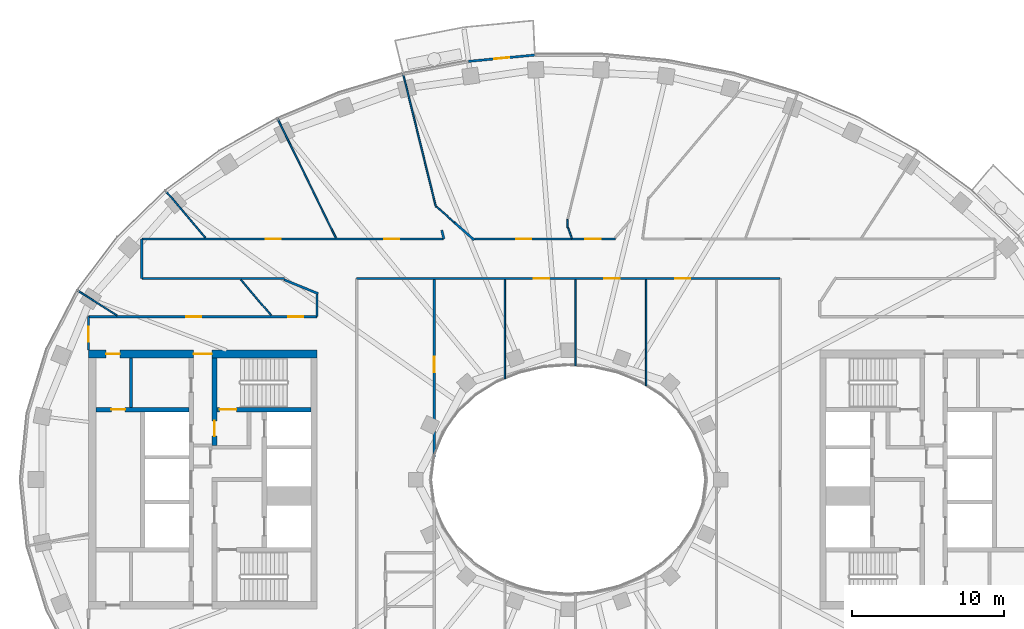
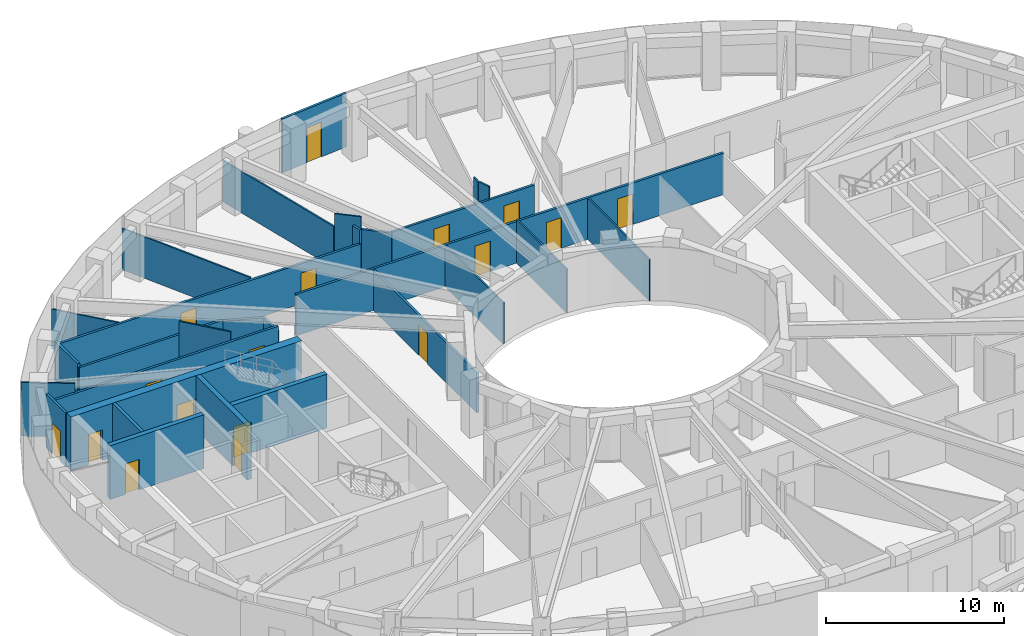
# One storey, part 6 of 17: 29 walls, 17 doors, 17 openings.
"""IFC4 building model written with IfcOpenShell, lengths in metres."""

from ifc_helpers import new_model, si_unit, direction, frame, frame_2d, origin, place, context, subcontext, project, spatial, rectangle, extrude, material, layer, layer_set, type_object, element, fill, save


model = new_model("IFC4")

# Units and contexts
model_context = context("Model", 3, precision=1e-05, world=origin(), true_north=direction((0.0, 1.0)))
body_context = subcontext(model_context, "Body", "Model", "MODEL_VIEW")
ifc_project = project(units=[si_unit("LENGTHUNIT", "METRE"), si_unit("AREAUNIT", "SQUARE_METRE"), si_unit("VOLUMEUNIT", "CUBIC_METRE"), si_unit("PLANEANGLEUNIT", "RADIAN"), si_unit("MASSUNIT", "GRAM", prefix="KILO")], contexts=[model_context])

# Site, building, storey
site_placement = place(None, origin())
site = spatial("IfcSite", under=ifc_project, at=site_placement, CompositionType="ELEMENT")
building_placement = place(site_placement, origin())
building = spatial("IfcBuilding", under=site, at=building_placement, Name="Noorbagh Ring Tower", CompositionType="ELEMENT")
storey_placement = place(building_placement, frame((0.0, 0.0, 269.5)))
storey = spatial("IfcBuildingStorey", under=building, at=storey_placement, Name="L57", CompositionType="ELEMENT", Elevation=269.5)

# Wall
ifc_material_1 = material(Name="Gypsum board on steel studs", Category="steel")
ifc_layer_1 = layer(ifc_material_1, 0.199951171875)
ifc_layer_set_1 = layer_set([ifc_layer_1], Name="Gypsum board on steel studs")
wall_type_1 = type_object("IfcWallType", Name="CORE-PARTITION-200", PredefinedType="PARTITIONING", material=ifc_layer_set_1)
wall_1_placement = place(storey_placement, frame((-28.699951171875, 4.75, 0.0), z_axis=(0.0, 0.0, 1.0), x_axis=(0.0, 1.0, 0.0)))
element("IfcWall", 1, at=wall_1_placement, inside=storey, type_object=wall_type_1, Name="Core partition W", PredefinedType="PARTITIONING", context=body_context, shape_type="SweptSolid", body=[
    extrude(rectangle(XDim=3.25, YDim=0.199951171875, at=frame_2d((1.625, 0.0))), origin(), (0.0, 0.0, 1.0), 3.699951171875),
])

# Wall, opening, door
ifc_material_2 = material(Name="Concrete C60/75", Category="concrete")
ifc_layer_2 = layer(ifc_material_2, 0.300048828125)
ifc_layer_set_2 = layer_set([ifc_layer_2], Name="Concrete C60/75")
wall_type_2 = type_object("IfcWallType", Name="CORE-WALL-300-C60-75-EI240", PredefinedType="SHEAR", material=ifc_layer_set_2)
wall_2_placement = place(storey_placement, frame((-24.89990234375, 4.60009765625, 0.0), z_axis=(0.0, 0.0, 1.0), x_axis=(-1.0, 0.0, 0.0)))
wall_2 = element("IfcWall", 2, at=wall_2_placement, inside=storey, type_object=wall_type_2, Name="Core wall W", PredefinedType="SHEAR", context=body_context, shape_type="SweptSolid", body=[
    extrude(rectangle(XDim=6.10009765625, YDim=0.300048828125, at=frame_2d((3.050048828125, 0.0))), origin(), (0.0, 0.0, 1.0), 3.699951171875),
])
opening_1_placement = place(wall_2_placement, frame((4.199951171875, 0.0, 0.0)))
opening_1 = element("IfcOpeningElement", 3, at=opening_1_placement, cuts=wall_2, Name="Opening L57-CW17", PredefinedType="OPENING", context=body_context, shape_type="SweptSolid", body=[
    extrude(rectangle(XDim=0.89990234375, YDim=2.10009765625, at=frame_2d((0.449951171875, 1.050048828125))), frame((0.0, 0.16015625, 0.0), z_axis=(0.0, -1.0, 0.0), x_axis=(1.0, 0.0, 0.0)), (0.0, 0.0, 1.0), 0.320068359375),
])
ifc_material_3 = material(Name="Steel door leaf", Category="steel")
door_type_1 = type_object("IfcDoorType", Name="CORE-DOOR-DROOM", OperationType="SINGLE_SWING_LEFT", PredefinedType="DOOR", material=ifc_material_3)
door_1_placement = place(opening_1_placement, origin())
door_1 = element("IfcDoor", 4, at=door_1_placement, inside=storey, type_object=door_type_1, Name="Core room door L57-CW17", OperationType="SINGLE_SWING_LEFT", OverallHeight=2.10009765625, OverallWidth=0.89990234375, PredefinedType="DOOR", context=body_context, shape_type="SweptSolid", body=[
    extrude(rectangle(XDim=0.89990234375, YDim=2.10009765625, at=frame_2d((0.449951171875, 1.050048828125))), frame((0.0, 0.02490234375, 0.0), z_axis=(0.0, -1.0, 0.0), x_axis=(1.0, 0.0, 0.0)), (0.0, 0.0, 1.0), 0.050048828125),
])
fill(opening_1, door_1)

wall_3_placement = place(storey_placement, frame((-23.22998046875, 2.25, 0.0), z_axis=(0.0, 0.0, 1.0), x_axis=(0.0, 1.0, 0.0)))
wall_3 = element("IfcWall", 5, at=wall_3_placement, inside=storey, type_object=wall_type_2, Name="Core wall W", PredefinedType="SHEAR", context=body_context, shape_type="SweptSolid", body=[
    extrude(rectangle(XDim=5.75, YDim=0.300048828125, at=frame_2d((2.875, 0.0))), origin(), (0.0, 0.0, 1.0), 3.699951171875),
])
opening_2_placement = place(wall_3_placement, frame((0.60009765625, 0.0, 0.0)))
opening_2 = element("IfcOpeningElement", 6, at=opening_2_placement, cuts=wall_3, Name="Opening L57-CW09", PredefinedType="OPENING", context=body_context, shape_type="SweptSolid", body=[
    extrude(rectangle(XDim=1.0, YDim=2.10009765625, at=frame_2d((0.5, 1.050048828125))), frame((0.0, 0.16015625, 0.0), z_axis=(0.0, -1.0, 0.0), x_axis=(1.0, 0.0, 0.0)), (0.0, 0.0, 1.0), 0.320068359375),
])
ifc_material_4 = material(Name="Steel door leaf", Category="steel")
door_type_2 = type_object("IfcDoorType", Name="CORE-DOOR-DVEST", OperationType="SINGLE_SWING_LEFT", PredefinedType="DOOR", material=ifc_material_4)
door_2_placement = place(opening_2_placement, origin())
door_2 = element("IfcDoor", 7, at=door_2_placement, inside=storey, type_object=door_type_2, Name="Stair vestibule door L57-CW09", OperationType="SINGLE_SWING_LEFT", OverallHeight=2.10009765625, OverallWidth=1.0, PredefinedType="DOOR", context=body_context, shape_type="SweptSolid", body=[
    extrude(rectangle(XDim=1.0, YDim=2.10009765625, at=frame_2d((0.5, 1.050048828125))), frame((0.0, 0.02490234375, 0.0), z_axis=(0.0, -1.0, 0.0), x_axis=(1.0, 0.0, 0.0)), (0.0, 0.0, 1.0), 0.050048828125),
])
fill(opening_2, door_2)

wall_4_placement = place(storey_placement, frame((-16.89990234375, 4.60009765625, 0.0), z_axis=(0.0, 0.0, 1.0), x_axis=(-1.0, 0.0, 0.0)))
wall_4 = element("IfcWall", 8, at=wall_4_placement, inside=storey, type_object=wall_type_2, Name="Core wall W", PredefinedType="SHEAR", context=body_context, shape_type="SweptSolid", body=[
    extrude(rectangle(XDim=6.18017578125, YDim=0.300048828125, at=frame_2d((3.090087890625, 0.0))), origin(), (0.0, 0.0, 1.0), 3.699951171875),
])
opening_3_placement = place(wall_4_placement, frame((4.89990234375, 0.0, 0.0)))
opening_3 = element("IfcOpeningElement", 9, at=opening_3_placement, cuts=wall_4, Name="Opening L57-CW06", PredefinedType="OPENING", context=body_context, shape_type="SweptSolid", body=[
    extrude(rectangle(XDim=1.10009765625, YDim=2.10009765625, at=frame_2d((0.550048828125, 1.050048828125))), frame((0.0, 0.16015625, 0.0), z_axis=(0.0, -1.0, 0.0), x_axis=(1.0, 0.0, 0.0)), (0.0, 0.0, 1.0), 0.320068359375),
])
ifc_material_5 = material(Name="Steel door leaf", Category="steel")
door_type_3 = type_object("IfcDoorType", Name="CORE-DOOR-DSTAIR", OperationType="SINGLE_SWING_LEFT", PredefinedType="DOOR", material=ifc_material_5)
door_3_placement = place(opening_3_placement, origin())
door_3 = element("IfcDoor", 10, at=door_3_placement, inside=storey, type_object=door_type_3, Name="Stair door ST1 L57-CW06", OperationType="SINGLE_SWING_RIGHT", OverallHeight=2.10009765625, OverallWidth=1.10009765625, PredefinedType="DOOR", context=body_context, shape_type="SweptSolid", body=[
    extrude(rectangle(XDim=1.10009765625, YDim=2.10009765625, at=frame_2d((0.550048828125, 1.050048828125))), frame((0.0, 0.02490234375, 0.0), z_axis=(0.0, -1.0, 0.0), x_axis=(1.0, 0.0, 0.0)), (0.0, 0.0, 1.0), 0.050048828125),
])
fill(opening_3, door_3)

# Wall, openings, doors
ifc_material_6 = material(Name="Concrete C60/75", Category="concrete")
ifc_layer_3 = layer(ifc_material_6, 0.5)
ifc_layer_set_3 = layer_set([ifc_layer_3], Name="Concrete C60/75")
wall_type_3 = type_object("IfcWallType", Name="CORE-WALL-500-C60-75-EI240", PredefinedType="SHEAR", material=ifc_layer_set_3)
wall_5_placement = place(storey_placement, frame((-16.5, 8.25, 0.0), z_axis=(0.0, 0.0, 1.0), x_axis=(-1.0, 0.0, 0.0)))
wall_5 = element("IfcWall", 11, at=wall_5_placement, inside=storey, type_object=wall_type_3, Name="Core wall W", PredefinedType="SHEAR", context=body_context, shape_type="SweptSolid", body=[
    extrude(rectangle(XDim=15.0, YDim=0.5, at=frame_2d((7.5, 0.0))), origin(), (0.0, 0.0, 1.0), 3.699951171875),
])
opening_4_placement = place(wall_5_placement, frame((6.89990234375, 0.0, 0.0)))
opening_4 = element("IfcOpeningElement", 12, at=opening_4_placement, cuts=wall_5, Name="Opening L57-CW10", PredefinedType="OPENING", context=body_context, shape_type="SweptSolid", body=[
    extrude(rectangle(XDim=1.199951171875, YDim=2.10009765625, at=frame_2d((0.60009765625, 1.050048828125))), frame((0.0, 0.260009765625, 0.0), z_axis=(0.0, -1.0, 0.0), x_axis=(1.0, 0.0, 0.0)), (0.0, 0.0, 1.0), 0.52001953125),
])
opening_5_placement = place(wall_5_placement, frame((12.949951171875, 0.0, 0.0)))
opening_5 = element("IfcOpeningElement", 13, at=opening_5_placement, cuts=wall_5, Name="Opening L57-CW13", PredefinedType="OPENING", context=body_context, shape_type="SweptSolid", body=[
    extrude(rectangle(XDim=0.89990234375, YDim=2.10009765625, at=frame_2d((0.449951171875, 1.050048828125))), frame((0.0, 0.260009765625, 0.0), z_axis=(0.0, -1.0, 0.0), x_axis=(1.0, 0.0, 0.0)), (0.0, 0.0, 1.0), 0.52001953125),
])
door_4_placement = place(opening_5_placement, origin())
door_4 = element("IfcDoor", 14, at=door_4_placement, inside=storey, type_object=door_type_1, Name="Core room door L57-CW13", OperationType="SINGLE_SWING_RIGHT", OverallHeight=2.10009765625, OverallWidth=0.89990234375, PredefinedType="DOOR", context=body_context, shape_type="SweptSolid", body=[
    extrude(rectangle(XDim=0.89990234375, YDim=2.10009765625, at=frame_2d((0.449951171875, 1.050048828125))), frame((0.0, 0.02490234375, 0.0), z_axis=(0.0, -1.0, 0.0), x_axis=(1.0, 0.0, 0.0)), (0.0, 0.0, 1.0), 0.050048828125),
])
fill(opening_5, door_4)
ifc_material_7 = material(Name="Steel door leaf", Category="steel")
door_type_4 = type_object("IfcDoorType", Name="CORE-DOOR-PORT", OperationType="DOUBLE_DOOR_DOUBLE_SWING", PredefinedType="DOOR", material=ifc_material_7)
door_5_placement = place(opening_4_placement, origin())
door_5 = element("IfcDoor", 15, at=door_5_placement, inside=storey, type_object=door_type_4, Name="Core entrance door L57-CW10", OperationType="DOUBLE_DOOR_DOUBLE_SWING", OverallHeight=2.10009765625, OverallWidth=1.199951171875, PredefinedType="DOOR", context=body_context, shape_type="SweptSolid", body=[
    extrude(rectangle(XDim=1.199951171875, YDim=2.10009765625, at=frame_2d((0.60009765625, 1.050048828125))), frame((0.0, 0.02490234375, 0.0), z_axis=(0.0, -1.0, 0.0), x_axis=(1.0, 0.0, 0.0)), (0.0, 0.0, 1.0), 0.050048828125),
])
fill(opening_4, door_5)

# Wall, opening, door
ifc_material_8 = material(Name="Gypsum board on steel studs", Category="steel")
ifc_layer_4 = layer(ifc_material_8, 0.14990234375)
ifc_layer_set_4 = layer_set([ifc_layer_4], Name="Gypsum board on steel studs")
wall_type_4 = type_object("IfcWallType", Name="CORRIDOR PARTITION 150 EI 30", PredefinedType="PARTITIONING", material=ifc_layer_set_4)
wall_6_placement = place(storey_placement, frame((-31.5, 8.5, 0.0), z_axis=(0.0, 0.0, 1.0), x_axis=(0.0, 1.0, 0.0)))
wall_6 = element("IfcWall", 16, at=wall_6_placement, inside=storey, type_object=wall_type_4, Name="L57/wall/P06", PredefinedType="PARTITIONING", context=body_context, shape_type="SweptSolid", body=[
    extrude(rectangle(XDim=2.199951171875, YDim=0.14990234375, at=frame_2d((1.10009765625, 0.0))), origin(), (0.0, 0.0, 1.0), 3.699951171875),
])
opening_6_placement = place(wall_6_placement, frame((0.550048828125, 0.0, 0.0)))
opening_6 = element("IfcOpeningElement", 17, at=opening_6_placement, cuts=wall_6, Name="Opening D1", PredefinedType="OPENING", context=body_context, shape_type="SweptSolid", body=[
    extrude(rectangle(XDim=1.0, YDim=2.10009765625, at=frame_2d((0.5, 1.050048828125))), frame((0.0, 0.0849609375, 0.0), z_axis=(0.0, -1.0, 0.0), x_axis=(1.0, 0.0, 0.0)), (0.0, 0.0, 1.0), 0.169921875),
])
ifc_material_9 = material(Name="Timber, painted", Category="wood")
door_type_5 = type_object("IfcDoorType", Name="DOOR 1000 X 2100 FD30", OperationType="SINGLE_SWING_LEFT", PredefinedType="DOOR", material=ifc_material_9)
door_6_placement = place(opening_6_placement, origin())
door_6 = element("IfcDoor", 18, at=door_6_placement, inside=storey, type_object=door_type_5, Name="L57-D07", OperationType="SINGLE_SWING_LEFT", OverallHeight=2.10009765625, OverallWidth=1.0, PredefinedType="DOOR", context=body_context, shape_type="SweptSolid", body=[
    extrude(rectangle(XDim=1.0, YDim=2.10009765625, at=frame_2d((0.5, 1.050048828125))), frame((0.0, 0.02490234375, 0.0), z_axis=(0.0, -1.0, 0.0), x_axis=(1.0, 0.0, 0.0)), (0.0, 0.0, 1.0), 0.050048828125),
])
fill(opening_6, door_6)

# Wall, openings, doors
wall_7_placement = place(storey_placement, frame((-31.5, 10.699951171875, 0.0), z_axis=(0.0, 0.0, 1.0), x_axis=(1.0, 0.0, 0.0)))
wall_7 = element("IfcWall", 19, at=wall_7_placement, inside=storey, type_object=wall_type_4, Name="L57/wall/P07", PredefinedType="PARTITIONING", context=body_context, shape_type="SweptSolid", body=[
    extrude(rectangle(XDim=15.0, YDim=0.14990234375, at=frame_2d((7.5, 0.0))), origin(), (0.0, 0.0, 1.0), 3.10009765625),
])
opening_7_placement = place(wall_7_placement, frame((6.405029296875, 0.0, 0.0)))
opening_7 = element("IfcOpeningElement", 20, at=opening_7_placement, cuts=wall_7, Name="Opening D1", PredefinedType="OPENING", context=body_context, shape_type="SweptSolid", body=[
    extrude(rectangle(XDim=1.0, YDim=2.10009765625, at=frame_2d((0.5, 1.050048828125))), frame((0.0, 0.0849609375, 0.0), z_axis=(0.0, -1.0, 0.0), x_axis=(1.0, 0.0, 0.0)), (0.0, 0.0, 1.0), 0.169921875),
])
opening_8_placement = place(wall_7_placement, frame((13.10009765625, 0.0, 0.0)))
opening_8 = element("IfcOpeningElement", 21, at=opening_8_placement, cuts=wall_7, Name="Opening D1", PredefinedType="OPENING", context=body_context, shape_type="SweptSolid", body=[
    extrude(rectangle(XDim=1.0, YDim=2.10009765625, at=frame_2d((0.5, 1.050048828125))), frame((0.0, 0.0849609375, 0.0), z_axis=(0.0, -1.0, 0.0), x_axis=(1.0, 0.0, 0.0)), (0.0, 0.0, 1.0), 0.169921875),
])
door_7_placement = place(opening_7_placement, origin())
door_7 = element("IfcDoor", 22, at=door_7_placement, inside=storey, type_object=door_type_5, Name="L57-D09", OperationType="SINGLE_SWING_LEFT", OverallHeight=2.10009765625, OverallWidth=1.0, PredefinedType="DOOR", context=body_context, shape_type="SweptSolid", body=[
    extrude(rectangle(XDim=1.0, YDim=2.10009765625, at=frame_2d((0.5, 1.050048828125))), frame((0.0, 0.02490234375, 0.0), z_axis=(0.0, -1.0, 0.0), x_axis=(1.0, 0.0, 0.0)), (0.0, 0.0, 1.0), 0.050048828125),
])
fill(opening_7, door_7)
door_8_placement = place(opening_8_placement, origin())
door_8 = element("IfcDoor", 23, at=door_8_placement, inside=storey, type_object=door_type_5, Name="L57-D13", OperationType="SINGLE_SWING_LEFT", OverallHeight=2.10009765625, OverallWidth=1.0, PredefinedType="DOOR", context=body_context, shape_type="SweptSolid", body=[
    extrude(rectangle(XDim=1.0, YDim=2.10009765625, at=frame_2d((0.5, 1.050048828125))), frame((0.0, 0.02490234375, 0.0), z_axis=(0.0, -1.0, 0.0), x_axis=(1.0, 0.0, 0.0)), (0.0, 0.0, 1.0), 0.050048828125),
])
fill(opening_8, door_8)

# Walls
wall_8_placement = place(storey_placement, frame((-28.0, 13.199951171875, 0.0), z_axis=(0.0, 0.0, 1.0), x_axis=(0.0, 1.0, 0.0)))
element("IfcWall", 24, at=wall_8_placement, inside=storey, type_object=wall_type_4, Name="L57/wall/P11", PredefinedType="PARTITIONING", context=body_context, shape_type="SweptSolid", body=[
    extrude(rectangle(XDim=2.60009765625, YDim=0.14990234375, at=frame_2d((1.300048828125, 0.0))), origin(), (0.0, 0.0, 1.0), 3.0),
])
wall_9_placement = place(storey_placement, frame((-28.0, 13.199951171875, 0.0), z_axis=(0.0, 0.0, 1.0), x_axis=(1.0, 0.0, 0.0)))
element("IfcWall", 25, at=wall_9_placement, inside=storey, type_object=wall_type_4, Name="L57/wall/P12", PredefinedType="PARTITIONING", context=body_context, shape_type="SweptSolid", body=[
    extrude(rectangle(XDim=9.346923828125, YDim=0.14990234375, at=frame_2d((4.67333984375, 0.0))), origin(), (0.0, 0.0, 1.0), 2.75),
])

# Wall, openings, doors
wall_10_placement = place(storey_placement, frame((-28.0, 15.800048828125, 0.0), z_axis=(0.0, 0.0, 1.0), x_axis=(1.0, 0.0, 0.0)))
wall_10 = element("IfcWall", 26, at=wall_10_placement, inside=storey, type_object=wall_type_4, Name="L57/wall/P13", PredefinedType="PARTITIONING", context=body_context, shape_type="SweptSolid", body=[
    extrude(rectangle(XDim=19.80908203125, YDim=0.14990234375, at=frame_2d((9.904541015625, 0.0))), origin(), (0.0, 0.0, 1.0), 2.75),
])
opening_9_placement = place(wall_10_placement, frame((8.118896484375, 0.0, 0.0)))
opening_9 = element("IfcOpeningElement", 27, at=opening_9_placement, cuts=wall_10, Name="Opening D1", PredefinedType="OPENING", context=body_context, shape_type="SweptSolid", body=[
    extrude(rectangle(XDim=1.0, YDim=2.10009765625, at=frame_2d((0.5, 1.050048828125))), frame((0.0, 0.0849609375, 0.0), z_axis=(0.0, -1.0, 0.0), x_axis=(1.0, 0.0, 0.0)), (0.0, 0.0, 1.0), 0.169921875),
])
opening_10_placement = place(wall_10_placement, frame((15.908935546875, 0.0, 0.0)))
opening_10 = element("IfcOpeningElement", 28, at=opening_10_placement, cuts=wall_10, Name="Opening D1", PredefinedType="OPENING", context=body_context, shape_type="SweptSolid", body=[
    extrude(rectangle(XDim=1.0, YDim=2.10009765625, at=frame_2d((0.5, 1.050048828125))), frame((0.0, 0.0849609375, 0.0), z_axis=(0.0, -1.0, 0.0), x_axis=(1.0, 0.0, 0.0)), (0.0, 0.0, 1.0), 0.169921875),
])
door_9_placement = place(opening_9_placement, origin())
door_9 = element("IfcDoor", 29, at=door_9_placement, inside=storey, type_object=door_type_5, Name="L57-D11", OperationType="SINGLE_SWING_LEFT", OverallHeight=2.10009765625, OverallWidth=1.0, PredefinedType="DOOR", context=body_context, shape_type="SweptSolid", body=[
    extrude(rectangle(XDim=1.0, YDim=2.10009765625, at=frame_2d((0.5, 1.050048828125))), frame((0.0, 0.02490234375, 0.0), z_axis=(0.0, -1.0, 0.0), x_axis=(1.0, 0.0, 0.0)), (0.0, 0.0, 1.0), 0.050048828125),
])
fill(opening_9, door_9)
door_10_placement = place(opening_10_placement, origin())
door_10 = element("IfcDoor", 30, at=door_10_placement, inside=storey, type_object=door_type_5, Name="L57-D15", OperationType="SINGLE_SWING_LEFT", OverallHeight=2.10009765625, OverallWidth=1.0, PredefinedType="DOOR", context=body_context, shape_type="SweptSolid", body=[
    extrude(rectangle(XDim=1.0, YDim=2.10009765625, at=frame_2d((0.5, 1.050048828125))), frame((0.0, 0.02490234375, 0.0), z_axis=(0.0, -1.0, 0.0), x_axis=(1.0, 0.0, 0.0)), (0.0, 0.0, 1.0), 0.050048828125),
])
fill(opening_10, door_10)

# Walls
wall_11_placement = place(storey_placement, frame((-18.6640625, 13.123046875, 0.0), z_axis=(0.0, 0.0, 1.0), x_axis=(0.925590432986, -0.378526551731, 0.0)))
element("IfcWall", 31, at=wall_11_placement, inside=storey, type_object=wall_type_4, Name="L57/wall/P21", PredefinedType="PARTITIONING", context=body_context, shape_type="SweptSolid", body=[
    extrude(rectangle(XDim=2.414794921875, YDim=0.14990234375, at=frame_2d((1.20751953125, 0.0))), origin(), (0.0, 0.0, 1.0), 2.75),
])
wall_12_placement = place(storey_placement, frame((-16.5, 10.699951171875, 0.0), z_axis=(0.0, 0.0, 1.0), x_axis=(0.0, 1.0, 0.0)))
element("IfcWall", 32, at=wall_12_placement, inside=storey, type_object=wall_type_4, Name="L57/wall/P23", PredefinedType="PARTITIONING", context=body_context, shape_type="SweptSolid", body=[
    extrude(rectangle(XDim=1.45703125, YDim=0.14990234375, at=frame_2d((0.728515625, 0.0))), origin(), (0.0, 0.0, 1.0), 2.75),
])

# Wall, openings, doors
wall_13_placement = place(storey_placement, frame((-13.89990234375, 13.199951171875, 0.0), z_axis=(0.0, 0.0, 1.0), x_axis=(1.0, 0.0, 0.0)))
wall_13 = element("IfcWall", 33, at=wall_13_placement, inside=storey, type_object=wall_type_4, Name="L57/wall/P26", PredefinedType="PARTITIONING", context=body_context, shape_type="SweptSolid", body=[
    extrude(rectangle(XDim=27.7998046875, YDim=0.14990234375, at=frame_2d((13.89990234375, 0.0))), origin(), (0.0, 0.0, 1.0), 2.85009765625),
])
opening_11_placement = place(wall_13_placement, frame((11.6298828125, 0.0, 0.0)))
opening_11 = element("IfcOpeningElement", 34, at=opening_11_placement, cuts=wall_13, Name="Opening D1", PredefinedType="OPENING", context=body_context, shape_type="SweptSolid", body=[
    extrude(rectangle(XDim=1.0, YDim=2.10009765625, at=frame_2d((0.5, 1.050048828125))), frame((0.0, 0.0849609375, 0.0), z_axis=(0.0, -1.0, 0.0), x_axis=(1.0, 0.0, 0.0)), (0.0, 0.0, 1.0), 0.169921875),
])
opening_12_placement = place(wall_13_placement, frame((16.262939453125, 0.0, 0.0)))
opening_12 = element("IfcOpeningElement", 35, at=opening_12_placement, cuts=wall_13, Name="Opening D1", PredefinedType="OPENING", context=body_context, shape_type="SweptSolid", body=[
    extrude(rectangle(XDim=1.0, YDim=2.10009765625, at=frame_2d((0.5, 1.050048828125))), frame((0.0, 0.0849609375, 0.0), z_axis=(0.0, -1.0, 0.0), x_axis=(1.0, 0.0, 0.0)), (0.0, 0.0, 1.0), 0.169921875),
])
opening_13_placement = place(wall_13_placement, frame((20.89697265625, 0.0, 0.0)))
opening_13 = element("IfcOpeningElement", 36, at=opening_13_placement, cuts=wall_13, Name="Opening D1", PredefinedType="OPENING", context=body_context, shape_type="SweptSolid", body=[
    extrude(rectangle(XDim=1.0, YDim=2.10009765625, at=frame_2d((0.5, 1.050048828125))), frame((0.0, 0.0849609375, 0.0), z_axis=(0.0, -1.0, 0.0), x_axis=(1.0, 0.0, 0.0)), (0.0, 0.0, 1.0), 0.169921875),
])
door_11_placement = place(opening_11_placement, origin())
door_11 = element("IfcDoor", 37, at=door_11_placement, inside=storey, type_object=door_type_5, Name="L57-D31", OperationType="SINGLE_SWING_LEFT", OverallHeight=2.10009765625, OverallWidth=1.0, PredefinedType="DOOR", context=body_context, shape_type="SweptSolid", body=[
    extrude(rectangle(XDim=1.0, YDim=2.10009765625, at=frame_2d((0.5, 1.050048828125))), frame((0.0, 0.02490234375, 0.0), z_axis=(0.0, -1.0, 0.0), x_axis=(1.0, 0.0, 0.0)), (0.0, 0.0, 1.0), 0.050048828125),
])
fill(opening_11, door_11)
door_12_placement = place(opening_12_placement, origin())
door_12 = element("IfcDoor", 38, at=door_12_placement, inside=storey, type_object=door_type_5, Name="L57-D33", OperationType="SINGLE_SWING_LEFT", OverallHeight=2.10009765625, OverallWidth=1.0, PredefinedType="DOOR", context=body_context, shape_type="SweptSolid", body=[
    extrude(rectangle(XDim=1.0, YDim=2.10009765625, at=frame_2d((0.5, 1.050048828125))), frame((0.0, 0.02490234375, 0.0), z_axis=(0.0, -1.0, 0.0), x_axis=(1.0, 0.0, 0.0)), (0.0, 0.0, 1.0), 0.050048828125),
])
fill(opening_12, door_12)
door_13_placement = place(opening_13_placement, origin())
door_13 = element("IfcDoor", 39, at=door_13_placement, inside=storey, type_object=door_type_5, Name="L57-D34", OperationType="SINGLE_SWING_RIGHT", OverallHeight=2.10009765625, OverallWidth=1.0, PredefinedType="DOOR", context=body_context, shape_type="SweptSolid", body=[
    extrude(rectangle(XDim=1.0, YDim=2.10009765625, at=frame_2d((0.5, 1.050048828125))), frame((0.0, 0.02490234375, 0.0), z_axis=(0.0, -1.0, 0.0), x_axis=(1.0, 0.0, 0.0)), (0.0, 0.0, 1.0), 0.050048828125),
])
fill(opening_13, door_13)

# Wall, opening, door
wall_14_placement = place(storey_placement, frame((-8.802978515625, 1.492919921875, 0.0), z_axis=(0.0, 0.0, 1.0), x_axis=(0.0, 1.0, 0.0)))
wall_14 = element("IfcWall", 40, at=wall_14_placement, inside=storey, type_object=wall_type_4, Name="L57/wall/P38", PredefinedType="PARTITIONING", context=body_context, shape_type="SweptSolid", body=[
    extrude(rectangle(XDim=11.632080078125, YDim=0.14990234375, at=frame_2d((5.81591796875, 0.0))), origin(), (0.0, 0.0, 1.0), 2.75),
])
opening_14_placement = place(wall_14_placement, frame((5.55908203125, 0.0, 0.0)))
opening_14 = element("IfcOpeningElement", 41, at=opening_14_placement, cuts=wall_14, Name="Opening D1", PredefinedType="OPENING", context=body_context, shape_type="SweptSolid", body=[
    extrude(rectangle(XDim=1.0, YDim=2.10009765625, at=frame_2d((0.5, 1.050048828125))), frame((0.0, 0.0849609375, 0.0), z_axis=(0.0, -1.0, 0.0), x_axis=(1.0, 0.0, 0.0)), (0.0, 0.0, 1.0), 0.169921875),
])
door_14_placement = place(opening_14_placement, origin())
door_14 = element("IfcDoor", 42, at=door_14_placement, inside=storey, type_object=door_type_5, Name="L57-D29", OperationType="SINGLE_SWING_LEFT", OverallHeight=2.10009765625, OverallWidth=1.0, PredefinedType="DOOR", context=body_context, shape_type="SweptSolid", body=[
    extrude(rectangle(XDim=1.0, YDim=2.10009765625, at=frame_2d((0.5, 1.050048828125))), frame((0.0, 0.02490234375, 0.0), z_axis=(0.0, -1.0, 0.0), x_axis=(1.0, 0.0, 0.0)), (0.0, 0.0, 1.0), 0.050048828125),
])
fill(opening_14, door_14)

# Walls
wall_15_placement = place(storey_placement, frame((-8.31494140625, 16.3701171875, 0.0), z_axis=(0.0, 0.0, 1.0), x_axis=(0.239893428325, -0.97079922901, 0.0)))
element("IfcWall", 43, at=wall_15_placement, inside=storey, type_object=wall_type_4, Name="L57/wall/P40", PredefinedType="PARTITIONING", context=body_context, shape_type="SweptSolid", body=[
    extrude(rectangle(XDim=0.587158203125, YDim=0.14990234375, at=frame_2d((0.29345703125, 0.0))), origin(), (0.0, 0.0, 1.0), 3.699951171875),
])
wall_16_placement = place(storey_placement, frame((-7.488037109375, 16.882080078125, 0.0), z_axis=(0.0, 0.0, 1.0), x_axis=(0.749084830903, -0.662474087124, 0.0)))
element("IfcWall", 44, at=wall_16_placement, inside=storey, type_object=wall_type_4, Name="L57/wall/P42", PredefinedType="PARTITIONING", context=body_context, shape_type="SweptSolid", body=[
    extrude(rectangle(XDim=1.741943359375, YDim=0.14990234375, at=frame_2d((0.87109375, 0.0))), origin(), (0.0, 0.0, 1.0), 2.85009765625),
])

# Wall, openings, doors
wall_17_placement = place(storey_placement, frame((-6.152099609375, 15.800048828125, 0.0), z_axis=(0.0, 0.0, 1.0), x_axis=(1.0, 0.0, 0.0)))
wall_17 = element("IfcWall", 45, at=wall_17_placement, inside=storey, type_object=wall_type_4, Name="L57/wall/P43", PredefinedType="PARTITIONING", context=body_context, shape_type="SweptSolid", body=[
    extrude(rectangle(XDim=9.259033203125, YDim=0.14990234375, at=frame_2d((4.62939453125, 0.0))), origin(), (0.0, 0.0, 1.0), 2.85009765625),
])
opening_15_placement = place(wall_17_placement, frame((2.72900390625, 0.0, 0.0)))
opening_15 = element("IfcOpeningElement", 46, at=opening_15_placement, cuts=wall_17, Name="Opening D1", PredefinedType="OPENING", context=body_context, shape_type="SweptSolid", body=[
    extrude(rectangle(XDim=1.0, YDim=2.10009765625, at=frame_2d((0.5, 1.050048828125))), frame((0.0, 0.0849609375, 0.0), z_axis=(0.0, -1.0, 0.0), x_axis=(1.0, 0.0, 0.0)), (0.0, 0.0, 1.0), 0.169921875),
])
opening_16_placement = place(wall_17_placement, frame((7.260986328125, 0.0, 0.0)))
opening_16 = element("IfcOpeningElement", 47, at=opening_16_placement, cuts=wall_17, Name="Opening D1", PredefinedType="OPENING", context=body_context, shape_type="SweptSolid", body=[
    extrude(rectangle(XDim=1.0, YDim=2.10009765625, at=frame_2d((0.5, 1.050048828125))), frame((0.0, 0.0849609375, 0.0), z_axis=(0.0, -1.0, 0.0), x_axis=(1.0, 0.0, 0.0)), (0.0, 0.0, 1.0), 0.169921875),
])
door_15_placement = place(opening_15_placement, origin())
door_15 = element("IfcDoor", 48, at=door_15_placement, inside=storey, type_object=door_type_5, Name="L57-D17", OperationType="SINGLE_SWING_LEFT", OverallHeight=2.10009765625, OverallWidth=1.0, PredefinedType="DOOR", context=body_context, shape_type="SweptSolid", body=[
    extrude(rectangle(XDim=1.0, YDim=2.10009765625, at=frame_2d((0.5, 1.050048828125))), frame((0.0, 0.02490234375, 0.0), z_axis=(0.0, -1.0, 0.0), x_axis=(1.0, 0.0, 0.0)), (0.0, 0.0, 1.0), 0.050048828125),
])
fill(opening_15, door_15)
door_16_placement = place(opening_16_placement, origin())
door_16 = element("IfcDoor", 49, at=door_16_placement, inside=storey, type_object=door_type_5, Name="L57-D18", OperationType="SINGLE_SWING_RIGHT", OverallHeight=2.10009765625, OverallWidth=1.0, PredefinedType="DOOR", context=body_context, shape_type="SweptSolid", body=[
    extrude(rectangle(XDim=1.0, YDim=2.10009765625, at=frame_2d((0.5, 1.050048828125))), frame((0.0, 0.02490234375, 0.0), z_axis=(0.0, -1.0, 0.0), x_axis=(1.0, 0.0, 0.0)), (0.0, 0.0, 1.0), 0.050048828125),
])
fill(opening_16, door_16)

# Wall, opening, door
ifc_material_10 = material(Name="Insulated aluminium clad panel", Category="aluminium")
ifc_layer_5 = layer(ifc_material_10, 0.14990234375)
ifc_layer_set_5 = layer_set([ifc_layer_5], Name="Insulated aluminium clad panel")
wall_type_5 = type_object("IfcWallType", Name="ENV-WALL-DOOR", PredefinedType="STANDARD", material=ifc_layer_set_5)
wall_18_placement = place(storey_placement, frame((-2.166259765625, 27.875244140625, 0.0), z_axis=(0.0, 0.0, 1.0), x_axis=(-0.995473879823, -0.095035543824, 0.0)))
wall_18 = element("IfcWall", 50, at=wall_18_placement, inside=storey, type_object=wall_type_5, Name="Balcony door wall chord 13", PredefinedType="STANDARD", context=body_context, shape_type="SweptSolid", body=[
    extrude(rectangle(XDim=4.42626953125, YDim=0.14990234375, at=frame_2d((2.213134765625, 0.0))), origin(), (0.0, 0.0, 1.0), 3.699951171875),
])
opening_17_placement = place(wall_18_placement, frame((1.713134765625, 0.0, 0.0)))
opening_17 = element("IfcOpeningElement", 51, at=opening_17_placement, cuts=wall_18, Name="Opening D-BL", PredefinedType="OPENING", context=body_context, shape_type="SweptSolid", body=[
    extrude(rectangle(XDim=1.0, YDim=2.39990234375, at=frame_2d((0.5, 1.199951171875))), frame((0.0, 0.0849609375, 0.0), z_axis=(0.0, -1.0, 0.0), x_axis=(1.0, 0.0, 0.0)), (0.0, 0.0, 1.0), 0.169921875),
])
ifc_material_11 = material(Name="Aluminium and glass", Category="aluminium")
door_type_6 = type_object("IfcDoorType", Name="ENV-DOOR-BALCONY", OperationType="SINGLE_SWING_LEFT", PredefinedType="DOOR", material=ifc_material_11)
door_17_placement = place(opening_17_placement, origin())
door_17 = element("IfcDoor", 52, at=door_17_placement, inside=storey, type_object=door_type_6, Name="Balcony door chord 13", OperationType="SINGLE_SWING_RIGHT", OverallHeight=2.39990234375, OverallWidth=1.0, PredefinedType="DOOR", context=body_context, shape_type="SweptSolid", body=[
    extrude(rectangle(XDim=1.0, YDim=2.39990234375, at=frame_2d((0.5, 1.199951171875))), frame((0.0, 0.02490234375, 0.0), z_axis=(0.0, -1.0, 0.0), x_axis=(1.0, 0.0, 0.0)), (0.0, 0.0, 1.0), 0.050048828125),
])
fill(opening_17, door_17)

# Walls
ifc_material_12 = material(Name="Gypsum board on steel studs", Category="steel")
ifc_layer_6 = layer(ifc_material_12, 0.10009765625)
ifc_layer_set_6 = layer_set([ifc_layer_6], Name="Gypsum board on steel studs")
wall_type_6 = type_object("IfcWallType", Name="PARTITION 100 GYPSUM", PredefinedType="PARTITIONING", material=ifc_layer_set_6)
wall_19_placement = place(storey_placement, frame((-32.2119140625, 12.407958984375, 0.0), z_axis=(0.0, 0.0, 1.0), x_axis=(0.844810627195, -0.535065420467, 0.0)))
element("IfcWall", 53, at=wall_19_placement, inside=storey, type_object=wall_type_6, Name="L57/wall/P03", PredefinedType="PARTITIONING", context=body_context, shape_type="SweptSolid", body=[
    extrude(rectangle(XDim=3.0478515625, YDim=0.10009765625, at=frame_2d((1.52392578125, 0.0))), origin(), (0.0, 0.0, 1.0), 3.699951171875),
])
wall_20_placement = place(storey_placement, frame((-26.429931640625, 18.945068359375, 0.0), z_axis=(0.0, 0.0, 1.0), x_axis=(0.646323350317, -0.763063645337, 0.0)))
element("IfcWall", 54, at=wall_20_placement, inside=storey, type_object=wall_type_6, Name="L57/wall/P15", PredefinedType="PARTITIONING", context=body_context, shape_type="SweptSolid", body=[
    extrude(rectangle(XDim=4.01953125, YDim=0.10009765625, at=frame_2d((2.009765625, 0.0))), origin(), (0.0, 0.0, 1.0), 2.75),
])
wall_21_placement = place(storey_placement, frame((-21.4990234375, 13.125, 0.0), z_axis=(0.0, 0.0, 1.0), x_axis=(0.646354899778, -0.763036921474, 0.0)))
element("IfcWall", 55, at=wall_21_placement, inside=storey, type_object=wall_type_6, Name="L57/wall/P17", PredefinedType="PARTITIONING", context=body_context, shape_type="SweptSolid", body=[
    extrude(rectangle(XDim=3.07568359375, YDim=0.10009765625, at=frame_2d((1.537841796875, 0.0))), origin(), (0.0, 0.0, 1.0), 3.699951171875),
])
wall_22_placement = place(storey_placement, frame((-19.0859375, 23.68505859375, 0.0), z_axis=(0.0, 0.0, 1.0), x_axis=(0.439174872977, -0.898401597809, 0.0)))
element("IfcWall", 56, at=wall_22_placement, inside=storey, type_object=wall_type_6, Name="L57/wall/P19", PredefinedType="PARTITIONING", context=body_context, shape_type="SweptSolid", body=[
    extrude(rectangle(XDim=8.693359375, YDim=0.10009765625, at=frame_2d((4.3466796875, 0.0))), origin(), (0.0, 0.0, 1.0), 2.85009765625),
])
wall_23_placement = place(storey_placement, frame((-10.85302734375, 26.64599609375, 0.0), z_axis=(0.0, 0.0, 1.0), x_axis=(0.239774810524, -0.970828532872, 0.0)))
element("IfcWall", 57, at=wall_23_placement, inside=storey, type_object=wall_type_6, Name="L57/wall/P34", PredefinedType="PARTITIONING", context=body_context, shape_type="SweptSolid", body=[
    extrude(rectangle(XDim=9.033447265625, YDim=0.10009765625, at=frame_2d((4.5166015625, 0.0))), origin(), (0.0, 0.0, 1.0), 2.85009765625),
])
wall_24_placement = place(storey_placement, frame((-8.64208984375, 17.903076171875, 0.0), z_axis=(0.0, 0.0, 1.0), x_axis=(0.748963294947, -0.662611487089, 0.0)))
element("IfcWall", 58, at=wall_24_placement, inside=storey, type_object=wall_type_6, Name="L57/wall/P39", PredefinedType="PARTITIONING", context=body_context, shape_type="SweptSolid", body=[
    extrude(rectangle(XDim=1.540771484375, YDim=0.10009765625, at=frame_2d((0.7705078125, 0.0))), origin(), (0.0, 0.0, 1.0), 3.699951171875),
])
wall_25_placement = place(storey_placement, frame((-4.169921875, 6.616943359375, 0.0), z_axis=(0.0, 0.0, 1.0), x_axis=(0.0, 1.0, 0.0)))
element("IfcWall", 59, at=wall_25_placement, inside=storey, type_object=wall_type_6, Name="L57/wall/P45", PredefinedType="PARTITIONING", context=body_context, shape_type="SweptSolid", body=[
    extrude(rectangle(XDim=6.508056640625, YDim=0.10009765625, at=frame_2d((3.25390625, 0.0))), origin(), (0.0, 0.0, 1.0), 2.85009765625),
])
wall_26_placement = place(storey_placement, frame((-0.074951171875, 16.528076171875, 0.0), z_axis=(0.0, 0.0, 1.0), x_axis=(0.047184463658, 0.998886192912, 0.0)))
element("IfcWall", 60, at=wall_26_placement, inside=storey, type_object=wall_type_6, Name="L57/wall/P50", PredefinedType="PARTITIONING", context=body_context, shape_type="SweptSolid", body=[
    extrude(rectangle(XDim=0.548583984375, YDim=0.10009765625, at=frame_2d((0.2744140625, 0.0))), origin(), (0.0, 0.0, 1.0), 3.699951171875),
])
wall_27_placement = place(storey_placement, frame((-0.02490234375, 16.534912109375, 0.0), z_axis=(0.0, 0.0, 1.0), x_axis=(0.338627931753, -0.940920359986, 0.0)))
element("IfcWall", 61, at=wall_27_placement, inside=storey, type_object=wall_type_6, Name="L57/wall/P51", PredefinedType="PARTITIONING", context=body_context, shape_type="SweptSolid", body=[
    extrude(rectangle(XDim=0.755615234375, YDim=0.10009765625, at=frame_2d((0.3779296875, 0.0))), origin(), (0.0, 0.0, 1.0), 3.699951171875),
])
wall_28_placement = place(storey_placement, frame((0.462890625, 7.468994140625, 0.0), z_axis=(0.0, 0.0, 1.0), x_axis=(0.0, 1.0, 0.0)))
element("IfcWall", 62, at=wall_28_placement, inside=storey, type_object=wall_type_6, Name="L57/wall/P56", PredefinedType="PARTITIONING", context=body_context, shape_type="SweptSolid", body=[
    extrude(rectangle(XDim=5.656005859375, YDim=0.10009765625, at=frame_2d((2.828125, 0.0))), origin(), (0.0, 0.0, 1.0), 3.0),
])
wall_29_placement = place(storey_placement, frame((5.096923828125, 6.15087890625, 0.0), z_axis=(0.0, 0.0, 1.0), x_axis=(0.0, 1.0, 0.0)))
element("IfcWall", 63, at=wall_29_placement, inside=storey, type_object=wall_type_6, Name="L57/wall/P62", PredefinedType="PARTITIONING", context=body_context, shape_type="SweptSolid", body=[
    extrude(rectangle(XDim=6.97412109375, YDim=0.10009765625, at=frame_2d((3.487060546875, 0.0))), origin(), (0.0, 0.0, 1.0), 2.85009765625),
])

save(model, "model.ifc")
